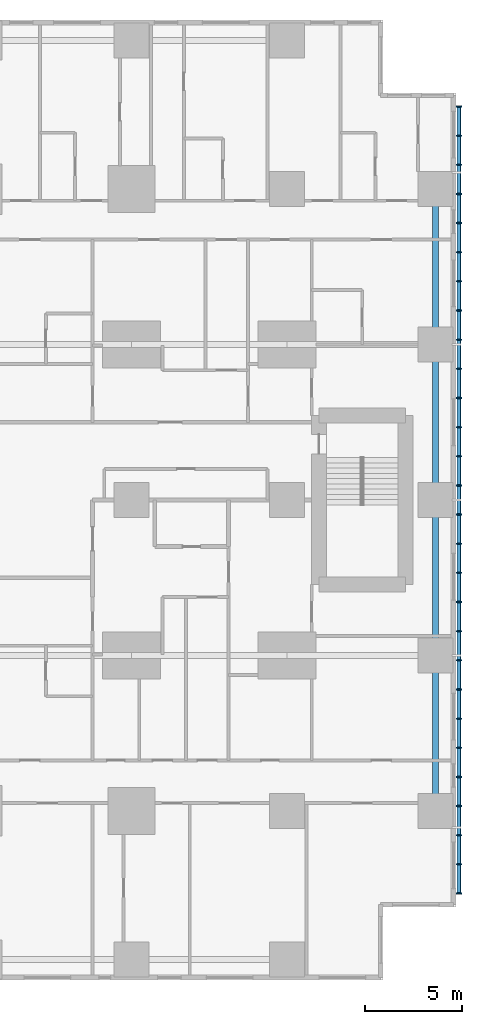
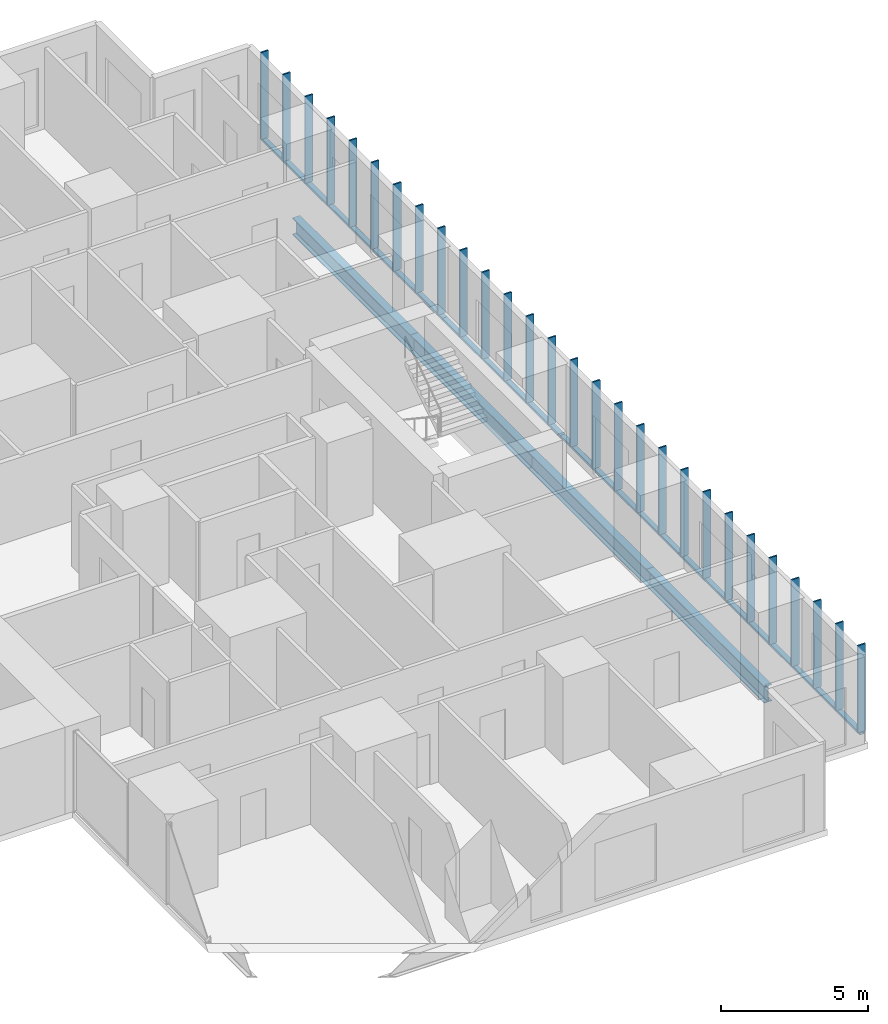
# One storey, part 6 of 20: 32 members, 4 beams.
"""IFC4 building model written with IfcOpenShell, lengths in metres."""

from ifc_helpers import new_model, si_unit, direction, frame, origin, origin_2d, place, context, subcontext, project, spatial, rectangle, hollow_rectangle, i_section, extrude, material, material_profile, profile_set, type_object, element, save


model = new_model("IFC4")

# Units and contexts
model_context = context("Model", 3, precision=1e-05, world=origin(), true_north=direction((0.0, 1.0)))
body_context = subcontext(model_context, "Body", "Model", "MODEL_VIEW")
ifc_project = project(units=[si_unit("LENGTHUNIT", "METRE"), si_unit("AREAUNIT", "SQUARE_METRE"), si_unit("VOLUMEUNIT", "CUBIC_METRE"), si_unit("PLANEANGLEUNIT", "RADIAN"), si_unit("MASSUNIT", "GRAM", prefix="KILO")], contexts=[model_context])

# Site, building, storey
site_placement = place(None, origin())
site = spatial("IfcSite", under=ifc_project, at=site_placement, CompositionType="ELEMENT")
building_placement = place(site_placement, origin())
building = spatial("IfcBuilding", under=site, at=building_placement, Name="Cleftline Residences", CompositionType="ELEMENT")
storey_placement = place(building_placement, frame((0.0, 0.0, 196.60009765625)))
storey = spatial("IfcBuildingStorey", under=building, at=storey_placement, Name="L51", CompositionType="ELEMENT", Elevation=196.60009765625)

# Members
ifc_material_1 = material(Name="Steel S355, hot-dip galvanised", Category="steel")
ifc_material_profile_1 = material_profile(ifc_material_1, hollow_rectangle(XDim=0.10009765625, YDim=0.199951171875, WallThickness=0.008056640625, InnerFilletRadius=0.008056640625, OuterFilletRadius=0.011962890625, at=origin_2d()))
ifc_profile_set_1 = profile_set([ifc_material_profile_1], Name="Steel S355, hot-dip galvanised")
member_type_1 = type_object("IfcMemberType", Name="BAGUETTE CARRIER RHS 200X100X8", PredefinedType="USERDEFINED", material=ifc_profile_set_1)
member_1_placement = place(storey_placement, frame((66.85009765625, 3.699951171875, -0.050048828125), z_axis=(0.0, 1.0, 0.0), x_axis=(0.0, 0.0, 1.0)))
element("IfcMember", 1, at=member_1_placement, inside=storey, type_object=member_type_1, Name="Baguette carrier", ObjectType="BAGUETTE CARRIER", PredefinedType="USERDEFINED", context=body_context, shape_type="SweptSolid", body=[
    extrude(hollow_rectangle(XDim=0.10009765625, YDim=0.199951171875, WallThickness=0.008056640625, InnerFilletRadius=0.008056640625, OuterFilletRadius=0.011962890625, at=origin_2d()), origin(), (0.0, 0.0, 1.0), 12.300048828125),
])
for number, where, z_axis, x_axis, name in (
    (2, (66.85009765625, 16.0, -0.050048828125), (0.0, 1.0, 0.0), (0.0, 0.0, 1.0), "Baguette carrier"),
    (3, (66.85009765625, 24.0, -0.050048828125), (0.0, 1.0, 0.0), (0.0, 0.0, 1.0), "Baguette carrier"),
):
    element("IfcMember", number, at=place(storey_placement, frame(where, z_axis=z_axis, x_axis=x_axis)), inside=storey, type_object=member_type_1, Name=name, ObjectType="BAGUETTE CARRIER", PredefinedType="USERDEFINED", context=body_context, shape_type="SweptSolid", body=[
        extrude(hollow_rectangle(XDim=0.10009765625, YDim=0.199951171875, WallThickness=0.008056640625, InnerFilletRadius=0.008056640625, OuterFilletRadius=0.011962890625, at=origin_2d()), origin(), (0.0, 0.0, 1.0), 8.0),
    ])
member_2_placement = place(storey_placement, frame((66.85009765625, 32.0, -0.050048828125), z_axis=(0.0, 1.0, 0.0), x_axis=(0.0, 0.0, 1.0)))
element("IfcMember", 4, at=member_2_placement, inside=storey, type_object=member_type_1, Name="Baguette carrier", ObjectType="BAGUETTE CARRIER", PredefinedType="USERDEFINED", context=body_context, shape_type="SweptSolid", body=[
    extrude(hollow_rectangle(XDim=0.10009765625, YDim=0.199951171875, WallThickness=0.008056640625, InnerFilletRadius=0.008056640625, OuterFilletRadius=0.011962890625, at=origin_2d()), origin(), (0.0, 0.0, 1.0), 12.300048828125),
])

# Beams
ifc_material_2 = material(Name="Steel S355", Category="steel")
ifc_material_profile_2 = material_profile(ifc_material_2, i_section(OverallWidth=0.300048828125, OverallDepth=0.699951171875, WebThickness=0.01708984375, FlangeThickness=0.031982421875, FilletRadius=0.027099609375, at=origin_2d()))
ifc_profile_set_2 = profile_set([ifc_material_profile_2], Name="Steel S355")
beam_type = type_object("IfcBeamType", Name="BEAM HEB 700", PredefinedType="BEAM", material=ifc_profile_set_2)
for number, where, z_axis, x_axis, name in (
    (5, (65.64990234375, 8.0, -0.60009765625), (0.0, 1.0, 0.0), (-1.0, 0.0, 0.0), "Edge beam"),
    (6, (65.64990234375, 16.0, -0.60009765625), (0.0, 1.0, 0.0), (-1.0, 0.0, 0.0), "Edge beam"),
    (7, (65.64990234375, 24.0, -0.60009765625), (0.0, 1.0, 0.0), (-1.0, 0.0, 0.0), "Edge beam"),
    (8, (65.64990234375, 32.0, -0.60009765625), (0.0, 1.0, 0.0), (-1.0, 0.0, 0.0), "Edge beam"),
):
    element("IfcBeam", number, at=place(storey_placement, frame(where, z_axis=z_axis, x_axis=x_axis)), inside=storey, type_object=beam_type, Name=name, PredefinedType="BEAM", context=body_context, shape_type="SweptSolid", body=[
        extrude(i_section(OverallWidth=0.300048828125, OverallDepth=0.699951171875, WebThickness=0.01708984375, FlangeThickness=0.031982421875, FilletRadius=0.027099609375, at=origin_2d()), origin(), (0.0, 0.0, 1.0), 8.0),
    ])

# Members
ifc_material_3 = material(Name="Extruded terracotta", Category="masonry")
ifc_material_profile_3 = material_profile(ifc_material_3, rectangle(XDim=0.06005859375, YDim=0.300048828125, at=origin_2d()))
ifc_profile_set_3 = profile_set([ifc_material_profile_3], Name="Extruded terracotta")
member_type_2 = type_object("IfcMemberType", Name="TERRACOTTA BAGUETTE 60X300", PredefinedType="USERDEFINED", material=ifc_profile_set_3)
for number, where, z_axis, x_axis, name in (
    (9, (66.85009765625, 3.75, 0.0), (0.0, 0.0, 1.0), (0.0, 1.0, 0.0), "Terracotta baguette"),
    (10, (66.85009765625, 5.25, 0.0), (0.0, 0.0, 1.0), (0.0, 1.0, 0.0), "Terracotta baguette"),
    (11, (66.85009765625, 6.75, 0.0), (0.0, 0.0, 1.0), (0.0, 1.0, 0.0), "Terracotta baguette"),
    (12, (66.85009765625, 8.25, 0.0), (0.0, 0.0, 1.0), (0.0, 1.0, 0.0), "Terracotta baguette"),
    (13, (66.85009765625, 9.75, 0.0), (0.0, 0.0, 1.0), (0.0, 1.0, 0.0), "Terracotta baguette"),
    (14, (66.85009765625, 11.25, 0.0), (0.0, 0.0, 1.0), (0.0, 1.0, 0.0), "Terracotta baguette"),
    (15, (66.85009765625, 12.75, 0.0), (0.0, 0.0, 1.0), (0.0, 1.0, 0.0), "Terracotta baguette"),
    (16, (66.85009765625, 14.25, 0.0), (0.0, 0.0, 1.0), (0.0, 1.0, 0.0), "Terracotta baguette"),
    (17, (66.85009765625, 15.75, 0.0), (0.0, 0.0, 1.0), (0.0, 1.0, 0.0), "Terracotta baguette"),
    (18, (66.85009765625, 17.25, 0.0), (0.0, 0.0, 1.0), (0.0, 1.0, 0.0), "Terracotta baguette"),
    (19, (66.85009765625, 18.75, 0.0), (0.0, 0.0, 1.0), (0.0, 1.0, 0.0), "Terracotta baguette"),
    (20, (66.85009765625, 20.25, 0.0), (0.0, 0.0, 1.0), (0.0, 1.0, 0.0), "Terracotta baguette"),
    (21, (66.85009765625, 21.75, 0.0), (0.0, 0.0, 1.0), (0.0, 1.0, 0.0), "Terracotta baguette"),
    (22, (66.85009765625, 23.25, 0.0), (0.0, 0.0, 1.0), (0.0, 1.0, 0.0), "Terracotta baguette"),
    (23, (66.85009765625, 24.75, 0.0), (0.0, 0.0, 1.0), (0.0, 1.0, 0.0), "Terracotta baguette"),
    (24, (66.85009765625, 26.25, 0.0), (0.0, 0.0, 1.0), (0.0, 1.0, 0.0), "Terracotta baguette"),
    (25, (66.85009765625, 27.75, 0.0), (0.0, 0.0, 1.0), (0.0, 1.0, 0.0), "Terracotta baguette"),
    (26, (66.85009765625, 29.25, 0.0), (0.0, 0.0, 1.0), (0.0, 1.0, 0.0), "Terracotta baguette"),
    (27, (66.85009765625, 30.75, 0.0), (0.0, 0.0, 1.0), (0.0, 1.0, 0.0), "Terracotta baguette"),
    (28, (66.85009765625, 32.25, 0.0), (0.0, 0.0, 1.0), (0.0, 1.0, 0.0), "Terracotta baguette"),
    (29, (66.85009765625, 33.75, 0.0), (0.0, 0.0, 1.0), (0.0, 1.0, 0.0), "Terracotta baguette"),
    (30, (66.85009765625, 35.25, 0.0), (0.0, 0.0, 1.0), (0.0, 1.0, 0.0), "Terracotta baguette"),
    (31, (66.85009765625, 36.75, 0.0), (0.0, 0.0, 1.0), (0.0, 1.0, 0.0), "Terracotta baguette"),
    (32, (66.85009765625, 38.25, 0.0), (0.0, 0.0, 1.0), (0.0, 1.0, 0.0), "Terracotta baguette"),
    (33, (66.85009765625, 39.75, 0.0), (0.0, 0.0, 1.0), (0.0, 1.0, 0.0), "Terracotta baguette"),
    (34, (66.85009765625, 41.25, 0.0), (0.0, 0.0, 1.0), (0.0, 1.0, 0.0), "Terracotta baguette"),
    (35, (66.85009765625, 42.75, 0.0), (0.0, 0.0, 1.0), (0.0, 1.0, 0.0), "Terracotta baguette"),
    (36, (66.85009765625, 44.25, 0.0), (0.0, 0.0, 1.0), (0.0, 1.0, 0.0), "Terracotta baguette"),
):
    element("IfcMember", number, at=place(storey_placement, frame(where, z_axis=z_axis, x_axis=x_axis)), inside=storey, type_object=member_type_2, Name=name, ObjectType="BAGUETTE", PredefinedType="USERDEFINED", context=body_context, shape_type="SweptSolid", body=[
        extrude(rectangle(XDim=0.06005859375, YDim=0.300048828125, at=origin_2d()), origin(), (0.0, 0.0, 1.0), 3.599853515625),
    ])

save(model, "model.ifc")
